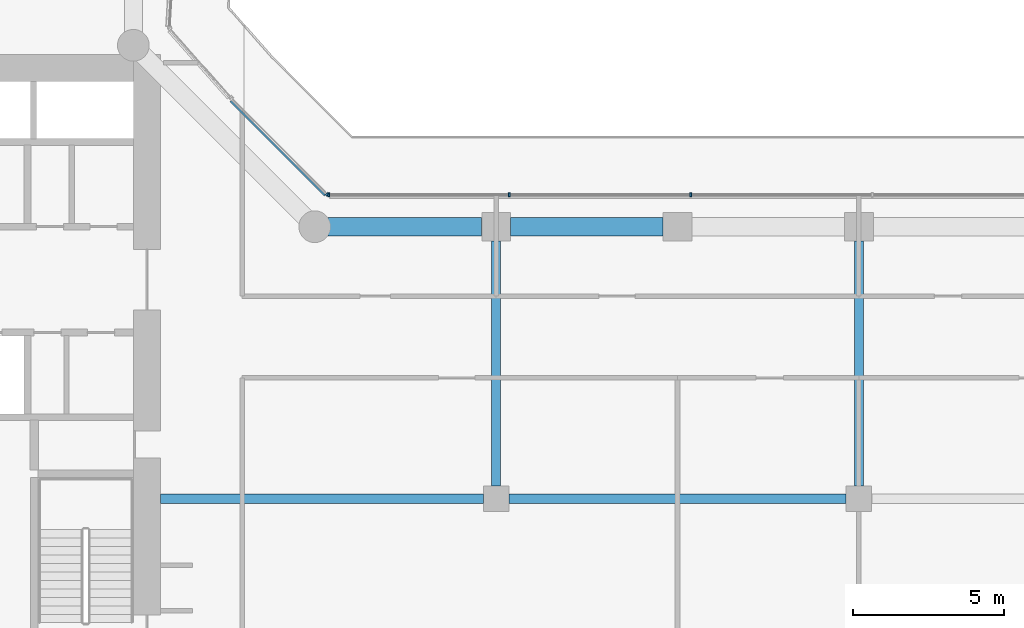
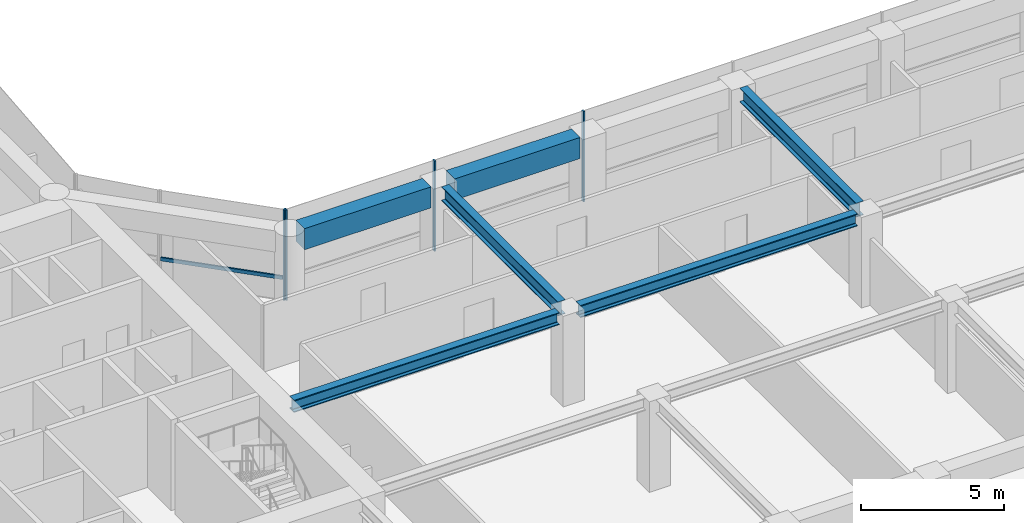
# One storey, part 9 of 27: 6 beams, 5 members, 2 elements without a shape of their own.
"""IFC4 building model written with IfcOpenShell, lengths in metres."""

from ifc_helpers import new_model, si_unit, direction, frame, origin, origin_2d, place, context, subcontext, project, spatial, rectangle, i_section, extrude, material, layer, layer_set, material_profile, profile_set, type_object, element, aggregate, save


model = new_model("IFC4")

# Units and contexts
model_context = context("Model", 3, precision=1e-05, world=origin(), true_north=direction((0.0, 1.0)))
body_context = subcontext(model_context, "Body", "Model", "MODEL_VIEW")
ifc_project = project(units=[si_unit("LENGTHUNIT", "METRE"), si_unit("AREAUNIT", "SQUARE_METRE"), si_unit("VOLUMEUNIT", "CUBIC_METRE"), si_unit("PLANEANGLEUNIT", "RADIAN"), si_unit("MASSUNIT", "GRAM", prefix="KILO")], contexts=[model_context])

# Site, building, storey
site_placement = place(None, origin())
site = spatial("IfcSite", under=ifc_project, at=site_placement, CompositionType="ELEMENT")
building_placement = place(site_placement, origin())
building = spatial("IfcBuilding", under=site, at=building_placement, Name="Welwitschia Terrace Campus", CompositionType="ELEMENT")
storey_placement = place(building_placement, frame((0.0, 0.0, 37.39990234375)))
storey = spatial("IfcBuildingStorey", under=building, at=storey_placement, Name="L08", CompositionType="ELEMENT", Elevation=37.39990234375)

# Beams
ifc_material_1 = material(Name="Steel S355", Category="steel")
ifc_material_profile_1 = material_profile(ifc_material_1, i_section(OverallWidth=0.305908203125, OverallDepth=0.52392578125, WebThickness=0.02099609375, FlangeThickness=0.0400390625, FilletRadius=0.027099609375, at=origin_2d()))
ifc_profile_set_1 = profile_set([ifc_material_profile_1], Name="Steel S355")
beam_type_1 = type_object("IfcBeamType", Name="Interior girder HE 500 M", PredefinedType="BEAM", material=ifc_profile_set_1)
beam_1_placement = place(storey_placement, frame((24.90087890625, 11.0, 3.588134765625), z_axis=(1.0, 0.0, 0.0), x_axis=(0.0, 1.0, 0.0)))
element("IfcBeam", 1, at=beam_1_placement, inside=storey, type_object=beam_type_1, Name="Girder GB2", PredefinedType="BEAM", context=body_context, shape_type="SweptSolid", body=[
    extrude(i_section(OverallWidth=0.305908203125, OverallDepth=0.52392578125, WebThickness=0.02099609375, FlangeThickness=0.0400390625, FilletRadius=0.027099609375, at=origin_2d()), origin(), (0.0, 0.0, 1.0), 10.673583984375),
])
beam_2_placement = place(storey_placement, frame((36.425537109375, 11.0, 3.588134765625), z_axis=(1.0, 0.0, 0.0), x_axis=(0.0, 1.0, 0.0)))
element("IfcBeam", 2, at=beam_2_placement, inside=storey, type_object=beam_type_1, Name="Girder GB2", PredefinedType="BEAM", context=body_context, shape_type="SweptSolid", body=[
    extrude(i_section(OverallWidth=0.305908203125, OverallDepth=0.52392578125, WebThickness=0.02099609375, FlangeThickness=0.0400390625, FilletRadius=0.027099609375, at=origin_2d()), origin(), (0.0, 0.0, 1.0), 11.14892578125),
])

# Curtain wall, members
ifc_material_2 = material(Name="Bronze anodised aluminium", Category="aluminium")
ifc_layer = layer(ifc_material_2, 0.1201171875)
ifc_layer_set = layer_set([ifc_layer], Name="Bronze anodised aluminium")
curtain_wall_type = type_object("IfcCurtainWallType", Name="Curtain wall CW2 tower 6000", PredefinedType="NOTDEFINED", material=ifc_layer_set)
curtain_wall_1_placement = place(storey_placement, origin())
curtain_wall_1 = element("IfcCurtainWall", 3, at=curtain_wall_1_placement, inside=storey, type_object=curtain_wall_type, Name="CW L08.8.0", PredefinedType="NOTDEFINED")
ifc_material_3 = material(Name="Bronze anodised aluminium", Category="aluminium")
ifc_material_profile_2 = material_profile(ifc_material_3, rectangle(XDim=0.1201171875, YDim=0.06005859375, at=origin_2d()))
ifc_profile_set_2 = profile_set([ifc_material_profile_2], Name="Bronze anodised aluminium")
member_type_1 = type_object("IfcMemberType", Name="Mullion 60x120", PredefinedType="MULLION", material=ifc_profile_set_2)
member_1_placement = place(storey_placement, frame((42.438232421875, 21.05810546875, 0.0), z_axis=(0.0, 0.0, 1.0), x_axis=(0.0, -1.0, 0.0)))
member_1 = element("IfcMember", 4, at=member_1_placement, type_object=member_type_1, Name="Mullion L08.8.0.3", PredefinedType="MULLION", context=body_context, shape_type="SweptSolid", body=[
    extrude(rectangle(XDim=0.1201171875, YDim=0.06005859375, at=origin_2d()), origin(), (0.0, 0.0, 1.0), 3.85009765625),
])
member_2_placement = place(storey_placement, frame((36.438232421875, 21.05810546875, 0.0), z_axis=(0.0, 0.0, 1.0), x_axis=(0.0, -1.0, 0.0)))
member_2 = element("IfcMember", 5, at=member_2_placement, type_object=member_type_1, Name="Mullion L08.8.0.4", PredefinedType="MULLION", context=body_context, shape_type="SweptSolid", body=[
    extrude(rectangle(XDim=0.1201171875, YDim=0.06005859375, at=origin_2d()), origin(), (0.0, 0.0, 1.0), 3.85009765625),
])
member_3_placement = place(storey_placement, frame((30.46826171875, 21.05810546875, 0.0), z_axis=(0.0, 0.0, 1.0), x_axis=(0.0, -1.0, 0.0)))
member_3 = element("IfcMember", 6, at=member_3_placement, type_object=member_type_1, Name="Mullion L08.8.0.5", PredefinedType="MULLION", context=body_context, shape_type="SweptSolid", body=[
    extrude(rectangle(XDim=0.1201171875, YDim=0.06005859375, at=origin_2d()), origin(), (0.0, 0.0, 1.0), 3.85009765625),
])
aggregate(curtain_wall_1, [member_1, member_2, member_3])

# Curtain wall, member
curtain_wall_2_placement = place(storey_placement, origin())
curtain_wall_2 = element("IfcCurtainWall", 7, at=curtain_wall_2_placement, inside=storey, type_object=curtain_wall_type, Name="CW L08.9.0", PredefinedType="NOTDEFINED")
member_4_placement = place(storey_placement, frame((30.4169921875, 21.0791015625, 0.0), z_axis=(0.0, 0.0, 1.0), x_axis=(-0.707106781187, -0.707106781187, 0.0)))
member_4 = element("IfcMember", 8, at=member_4_placement, type_object=member_type_1, Name="Mullion L08.9.0.0", PredefinedType="MULLION", context=body_context, shape_type="SweptSolid", body=[
    extrude(rectangle(XDim=0.1201171875, YDim=0.06005859375, at=origin_2d()), origin(), (0.0, 0.0, 1.0), 3.85009765625),
])

# Beams
ifc_material_4 = material(Name="Steel S355", Category="steel")
ifc_material_profile_3 = material_profile(ifc_material_4, i_section(OverallWidth=0.300048828125, OverallDepth=0.60009765625, WebThickness=0.015380859375, FlangeThickness=0.030029296875, FilletRadius=0.027099609375, at=origin_2d()))
ifc_profile_set_3 = profile_set([ifc_material_profile_3], Name="Steel S355")
beam_type_2 = type_object("IfcBeamType", Name="Primary beam HE 600 B", PredefinedType="BEAM", material=ifc_profile_set_3)
for number, where, z_axis, x_axis, name in (
    (9, (48.0, 19.5244140625, 3.550048828125), (0.0, -1.0, 0.0), (1.0, 0.0, 0.0), "Primary beam PB2"),
    (10, (36.0, 19.5244140625, 3.550048828125), (0.0, -1.0, 0.0), (1.0, 0.0, 0.0), "Primary beam PB2"),
):
    element("IfcBeam", number, at=place(storey_placement, frame(where, z_axis=z_axis, x_axis=x_axis)), inside=storey, type_object=beam_type_2, Name=name, PredefinedType="BEAM", context=body_context, shape_type="SweptSolid", body=[
        extrude(i_section(OverallWidth=0.300048828125, OverallDepth=0.60009765625, WebThickness=0.015380859375, FlangeThickness=0.030029296875, FilletRadius=0.027099609375, at=origin_2d()), origin(), (0.0, 0.0, 1.0), 8.098876953125),
    ])
ifc_material_5 = material(Name="Concrete C60/75", Category="concrete")
ifc_material_profile_4 = material_profile(ifc_material_5, rectangle(XDim=0.60009765625, YDim=0.89990234375, at=origin_2d()))
ifc_profile_set_4 = profile_set([ifc_material_profile_4], Name="Concrete C60/75")
beam_type_3 = type_object("IfcBeamType", Name="Ring spandrel 600x900", PredefinedType="SPANDREL", material=ifc_profile_set_4)
beam_3_placement = place(storey_placement, frame((41.5244140625, 20.0, 3.400146484375), z_axis=(-1.0, 0.0, 0.0), x_axis=(0.0, -1.0, 0.0)))
element("IfcBeam", 11, at=beam_3_placement, inside=storey, type_object=beam_type_3, Name="Spandrel SP2", PredefinedType="SPANDREL", context=body_context, shape_type="SweptSolid", body=[
    extrude(rectangle(XDim=0.60009765625, YDim=0.89990234375, at=origin_2d()), origin(), (0.0, 0.0, 1.0), 5.048828125),
])
beam_4_placement = place(storey_placement, frame((35.5244140625, 20.0, 3.400146484375), z_axis=(-1.0, 0.0, 0.0), x_axis=(0.0, -1.0, 0.0)))
element("IfcBeam", 12, at=beam_4_placement, inside=storey, type_object=beam_type_3, Name="Spandrel SP2", PredefinedType="SPANDREL", context=body_context, shape_type="SweptSolid", body=[
    extrude(rectangle(XDim=0.60009765625, YDim=0.89990234375, at=origin_2d()), origin(), (0.0, 0.0, 1.0), 5.093017578125),
])

# Member
ifc_material_6 = material(Name="Bronze anodised aluminium", Category="aluminium")
ifc_material_profile_5 = material_profile(ifc_material_6, rectangle(XDim=0.06005859375, YDim=0.14990234375, at=origin_2d()))
ifc_profile_set_5 = profile_set([ifc_material_profile_5], Name="Bronze anodised aluminium")
member_type_2 = type_object("IfcMemberType", Name="Transom 60x150", PredefinedType="USERDEFINED", material=ifc_profile_set_5)
member_5_placement = place(storey_placement, frame((30.332275390625, 21.036865234375, 1.0), z_axis=(-0.707134496192, 0.707079065095, 0.0), x_axis=(-0.707079065095, -0.707134496192, 0.0)))
member_5 = element("IfcMember", 13, at=member_5_placement, type_object=member_type_2, Name="Transom L08.9.0", ObjectType="TRANSOM", PredefinedType="USERDEFINED", context=body_context, shape_type="SweptSolid", body=[
    extrude(rectangle(XDim=0.06005859375, YDim=0.14990234375, at=origin_2d()), origin(), (0.0, 0.0, 1.0), 4.404296875),
])

aggregate(curtain_wall_2, [member_4, member_5])

save(model, "model.ifc")
